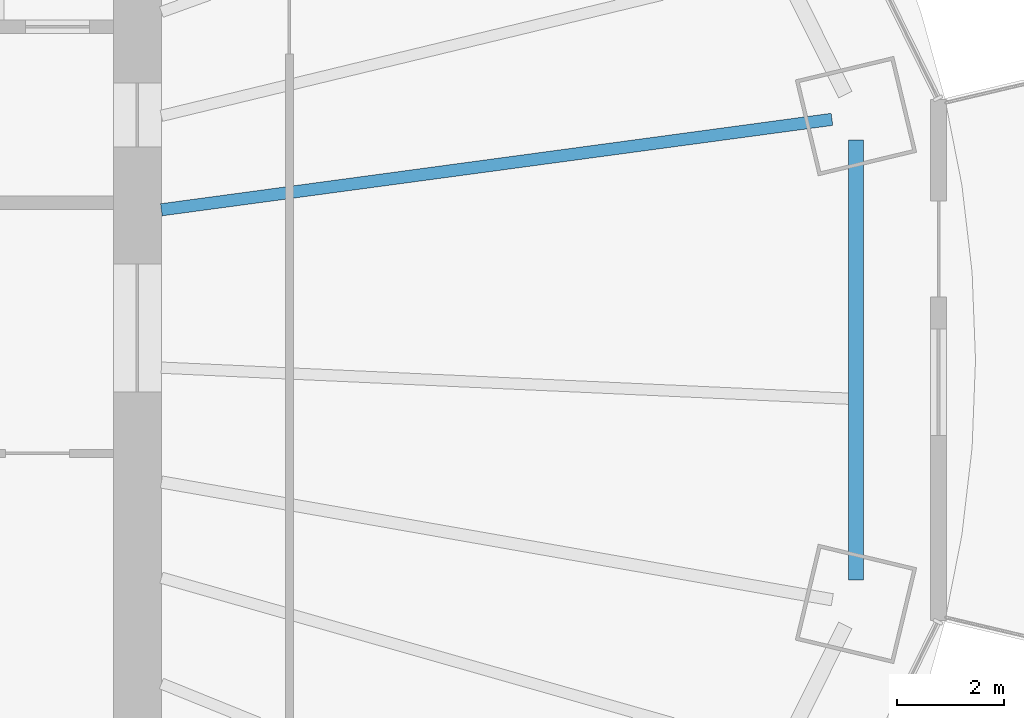
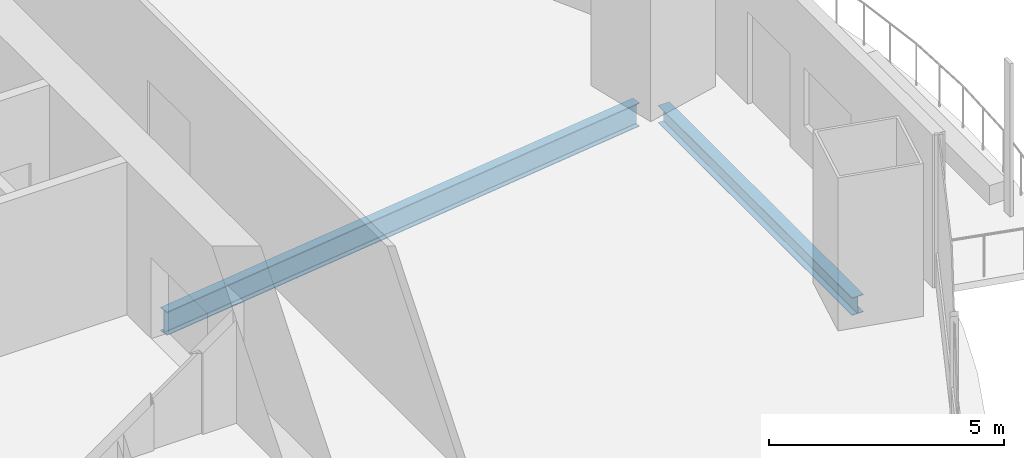
# One storey, part 5 of 19: 2 beams.
"""IFC4 building model written with IfcOpenShell, lengths in metres."""

from ifc_helpers import new_model, si_unit, direction, frame, origin, origin_2d, place, context, subcontext, project, spatial, i_section, extrude, material, material_profile, profile_set, type_object, element, save


model = new_model("IFC4")

# Units and contexts
model_context = context("Model", 3, precision=1e-05, world=origin(), true_north=direction((0.0, 1.0)))
body_context = subcontext(model_context, "Body", "Model", "MODEL_VIEW")
ifc_project = project(units=[si_unit("LENGTHUNIT", "METRE"), si_unit("AREAUNIT", "SQUARE_METRE"), si_unit("VOLUMEUNIT", "CUBIC_METRE"), si_unit("PLANEANGLEUNIT", "RADIAN"), si_unit("MASSUNIT", "GRAM", prefix="KILO")], contexts=[model_context])

# Site, building, storey
site_placement = place(None, origin())
site = spatial("IfcSite", under=ifc_project, at=site_placement, CompositionType="ELEMENT")
building_placement = place(site_placement, origin())
building = spatial("IfcBuilding", under=site, at=building_placement, Name="Marenthal Gate Tower", CompositionType="ELEMENT")
storey_placement = place(building_placement, frame((0.0, 0.0, 256.5)))
storey = spatial("IfcBuildingStorey", under=building, at=storey_placement, Name="L57", CompositionType="ELEMENT", Elevation=256.5)

# Beams
ifc_material_1 = material(Name="Steel S355", Category="steel")
ifc_material_profile_1 = material_profile(ifc_material_1, i_section(OverallWidth=0.279052734375, OverallDepth=0.4619140625, WebThickness=0.0107421875, FlangeThickness=0.017333984375, FilletRadius=0.010009765625, at=origin_2d()), Name="W460X113")
ifc_profile_set_1 = profile_set([ifc_material_profile_1], Name="Steel S355")
beam_type_1 = type_object("IfcBeamType", Name="W460X113 beam", PredefinedType="BEAM", material=ifc_profile_set_1)
beam_1_placement = place(storey_placement, frame((29.480712890625, -4.724609375, -0.410888671875), z_axis=(0.0, 1.0, 0.0), x_axis=(-1.0, 0.0, 0.0)))
element("IfcBeam", 1, at=beam_1_placement, inside=storey, type_object=beam_type_1, Name="BM-L57-56", PredefinedType="BEAM", context=body_context, shape_type="SweptSolid", body=[
    extrude(i_section(OverallWidth=0.279052734375, OverallDepth=0.4619140625, WebThickness=0.0107421875, FlangeThickness=0.017333984375, FilletRadius=0.010009765625, at=origin_2d()), origin(), (0.0, 0.0, 1.0), 8.2490234375),
])
ifc_material_2 = material(Name="Steel S355", Category="steel")
ifc_material_profile_2 = material_profile(ifc_material_2, i_section(OverallWidth=0.22900390625, OverallDepth=0.612060546875, WebThickness=0.011962890625, FlangeThickness=0.01953125, FilletRadius=0.0126953125, at=origin_2d()), Name="W610X125")
ifc_profile_set_2 = profile_set([ifc_material_profile_2], Name="Steel S355")
beam_type_2 = type_object("IfcBeamType", Name="W610X125 beam", PredefinedType="BEAM", material=ifc_profile_set_2)
beam_2_placement = place(storey_placement, frame((29.02978515625, 3.914794921875, -0.486083984375), z_axis=(-0.991030952375, -0.133632523863, 0.0), x_axis=(0.133632523863, -0.991030952375, 0.0)))
element("IfcBeam", 2, at=beam_2_placement, inside=storey, type_object=beam_type_2, Name="BM-L57-01", PredefinedType="BEAM", context=body_context, shape_type="SweptSolid", body=[
    extrude(i_section(OverallWidth=0.22900390625, OverallDepth=0.612060546875, WebThickness=0.011962890625, FlangeThickness=0.01953125, FilletRadius=0.0126953125, at=origin_2d()), origin(), (0.0, 0.0, 1.0), 12.693603515625),
])

save(model, "model.ifc")
